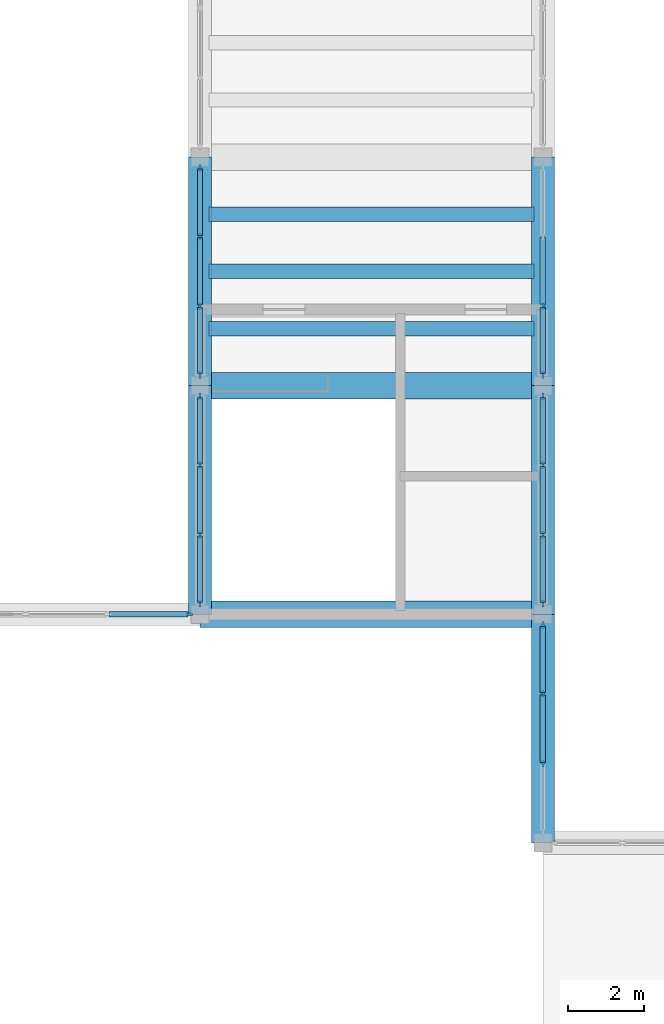
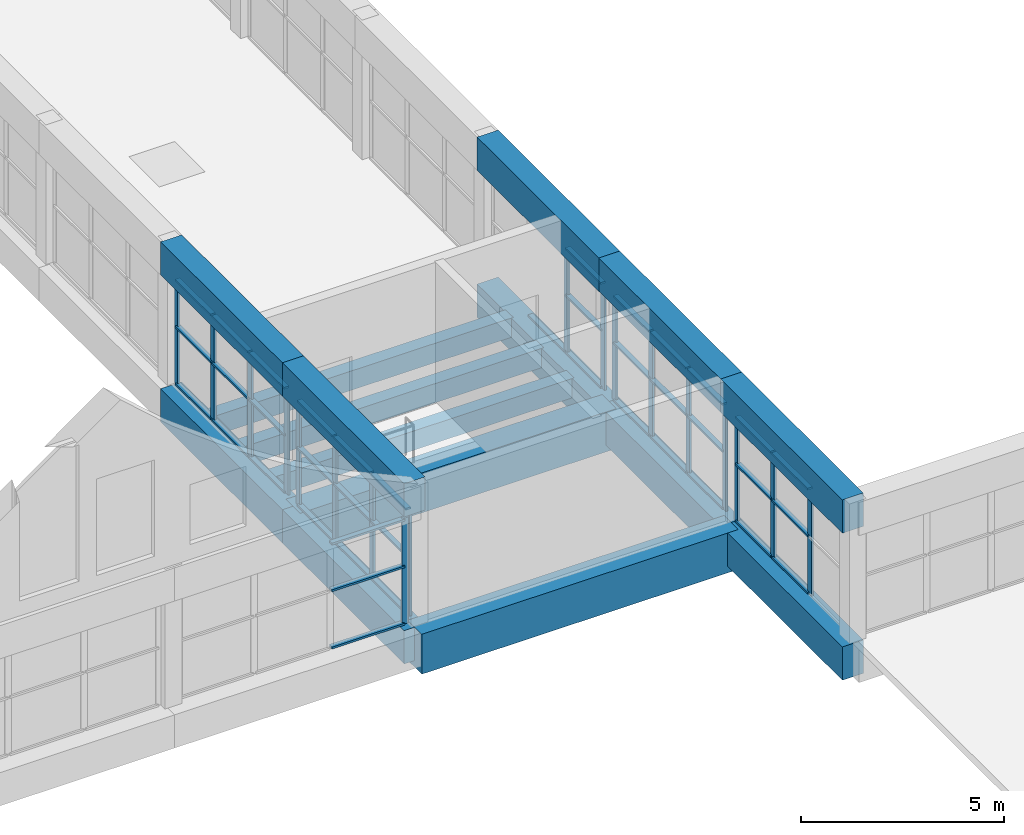
# One storey, part 9 of 70: 58 members, 15 beams, 6 elements without a shape of their own.
"""IFC4 building model written with IfcOpenShell, lengths in metres."""

from ifc_helpers import new_model, si_unit, direction, frame, origin, origin_2d, place, context, subcontext, project, spatial, rectangle, extrude, material, layer, layer_set, material_profile, profile_set, type_object, element, aggregate, save


model = new_model("IFC4")

# Units and contexts
model_context = context("Model", 3, precision=1e-05, world=origin(), true_north=direction((0.0, 1.0)))
body_context = subcontext(model_context, "Body", "Model", "MODEL_VIEW")
ifc_project = project(units=[si_unit("LENGTHUNIT", "METRE"), si_unit("AREAUNIT", "SQUARE_METRE"), si_unit("VOLUMEUNIT", "CUBIC_METRE"), si_unit("PLANEANGLEUNIT", "RADIAN"), si_unit("MASSUNIT", "GRAM", prefix="KILO")], contexts=[model_context])

# Site, building, storey
site_placement = place(None, origin())
site = spatial("IfcSite", under=ifc_project, at=site_placement, CompositionType="ELEMENT")
building_placement = place(site_placement, origin())
building = spatial("IfcBuilding", under=site, at=building_placement, Name="Solvane Community Centre", CompositionType="ELEMENT")
storey_placement = place(building_placement, frame((0.0, 0.0, 9.60009765625)))
storey = spatial("IfcBuildingStorey", under=building, at=storey_placement, Name="L02", CompositionType="ELEMENT", Elevation=9.60009765625)

# Curtain wall, members
ifc_material_1 = material(Name="Anodised bronze aluminium AW-6063 T6", Category="aluminium")
ifc_layer_1 = layer(ifc_material_1, 0.179931640625)
ifc_layer_set_1 = layer_set([ifc_layer_1], Name="Anodised bronze aluminium AW-6063 T6")
curtain_wall_type_1 = type_object("IfcCurtainWallType", Name="Hall Translucent Upper Curtain Wall [55x32dm]", PredefinedType="NOTDEFINED", material=ifc_layer_set_1)
curtain_wall_1_placement = place(storey_placement, origin())
curtain_wall_1 = element("IfcCurtainWall", 1, at=curtain_wall_1_placement, inside=storey, type_object=curtain_wall_type_1, Name="Curtain Wall CW-L02-360_537-126", PredefinedType="NOTDEFINED")
ifc_material_profile_1 = material_profile(ifc_material_1, rectangle(XDim=0.06005859375, YDim=0.179931640625, at=origin_2d()), Name="CW-M 60x180")
ifc_profile_set_1 = profile_set([ifc_material_profile_1], Name="Anodised bronze aluminium AW-6063 T6")
member_type_1 = type_object("IfcMemberType", Name="Hall Mullion 60x180", PredefinedType="MULLION", material=ifc_profile_set_1)
member_1_placement = place(storey_placement, frame((36.0, 50.0849609375, 0.0), z_axis=(0.0, 0.0, 1.0), x_axis=(1.0, 0.0, 0.0)))
member_1 = element("IfcMember", 2, at=member_1_placement, type_object=member_type_1, Name="CW01-55x32 mullion 3", PredefinedType="MULLION", context=body_context, shape_type="SweptSolid", body=[
    extrude(rectangle(XDim=0.06005859375, YDim=0.179931640625, at=origin_2d()), origin(), (0.0, 0.0, 1.0), 3.184814453125),
])
member_2_placement = place(storey_placement, frame((36.0, 48.284912109375, 0.0), z_axis=(0.0, 0.0, 1.0), x_axis=(1.0, 0.0, 0.0)))
member_2 = element("IfcMember", 3, at=member_2_placement, type_object=member_type_1, Name="CW01-55x32 mullion 4", PredefinedType="MULLION", context=body_context, shape_type="SweptSolid", body=[
    extrude(rectangle(XDim=0.06005859375, YDim=0.179931640625, at=origin_2d()), origin(), (0.0, 0.0, 1.0), 3.184814453125),
])

curtain_wall_2_placement = place(storey_placement, origin())
curtain_wall_2 = element("IfcCurtainWall", 4, at=curtain_wall_2_placement, inside=storey, type_object=curtain_wall_type_1, Name="Curtain Wall CW-L02-360_477-127", PredefinedType="NOTDEFINED")
member_3_placement = place(storey_placement, frame((36.0, 47.715087890625, 0.0), z_axis=(0.0, 0.0, 1.0), x_axis=(1.0, 0.0, 0.0)))
member_3 = element("IfcMember", 5, at=member_3_placement, type_object=member_type_1, Name="CW01-55x32 mullion 1", PredefinedType="MULLION", context=body_context, shape_type="SweptSolid", body=[
    extrude(rectangle(XDim=0.06005859375, YDim=0.179931640625, at=origin_2d()), origin(), (0.0, 0.0, 1.0), 3.184814453125),
])
member_4_placement = place(storey_placement, frame((36.0, 45.9150390625, 0.0), z_axis=(0.0, 0.0, 1.0), x_axis=(1.0, 0.0, 0.0)))
member_4 = element("IfcMember", 6, at=member_4_placement, type_object=member_type_1, Name="CW01-55x32 mullion 2", PredefinedType="MULLION", context=body_context, shape_type="SweptSolid", body=[
    extrude(rectangle(XDim=0.06005859375, YDim=0.179931640625, at=origin_2d()), origin(), (0.0, 0.0, 1.0), 3.184814453125),
])
member_5_placement = place(storey_placement, frame((36.0, 44.0849609375, 0.0), z_axis=(0.0, 0.0, 1.0), x_axis=(1.0, 0.0, 0.0)))
member_5 = element("IfcMember", 7, at=member_5_placement, type_object=member_type_1, Name="CW01-55x32 mullion 3", PredefinedType="MULLION", context=body_context, shape_type="SweptSolid", body=[
    extrude(rectangle(XDim=0.06005859375, YDim=0.179931640625, at=origin_2d()), origin(), (0.0, 0.0, 1.0), 3.184814453125),
])
member_6_placement = place(storey_placement, frame((36.0, 42.284912109375, 0.0), z_axis=(0.0, 0.0, 1.0), x_axis=(1.0, 0.0, 0.0)))
member_6 = element("IfcMember", 8, at=member_6_placement, type_object=member_type_1, Name="CW01-55x32 mullion 4", PredefinedType="MULLION", context=body_context, shape_type="SweptSolid", body=[
    extrude(rectangle(XDim=0.06005859375, YDim=0.179931640625, at=origin_2d()), origin(), (0.0, 0.0, 1.0), 3.184814453125),
])

curtain_wall_3_placement = place(storey_placement, origin())
curtain_wall_3 = element("IfcCurtainWall", 9, at=curtain_wall_3_placement, inside=storey, type_object=curtain_wall_type_1, Name="Curtain Wall CW-L02-360_417-128", PredefinedType="NOTDEFINED")
member_7_placement = place(storey_placement, frame((36.0, 41.715087890625, 0.0), z_axis=(0.0, 0.0, 1.0), x_axis=(1.0, 0.0, 0.0)))
member_7 = element("IfcMember", 10, at=member_7_placement, type_object=member_type_1, Name="CW01-55x32 mullion 1", PredefinedType="MULLION", context=body_context, shape_type="SweptSolid", body=[
    extrude(rectangle(XDim=0.06005859375, YDim=0.179931640625, at=origin_2d()), origin(), (0.0, 0.0, 1.0), 3.184814453125),
])
member_8_placement = place(storey_placement, frame((36.0, 39.9150390625, 0.0), z_axis=(0.0, 0.0, 1.0), x_axis=(1.0, 0.0, 0.0)))
member_8 = element("IfcMember", 11, at=member_8_placement, type_object=member_type_1, Name="CW01-55x32 mullion 2", PredefinedType="MULLION", context=body_context, shape_type="SweptSolid", body=[
    extrude(rectangle(XDim=0.06005859375, YDim=0.179931640625, at=origin_2d()), origin(), (0.0, 0.0, 1.0), 3.184814453125),
])
member_9_placement = place(storey_placement, frame((36.0, 38.0849609375, 0.0), z_axis=(0.0, 0.0, 1.0), x_axis=(1.0, 0.0, 0.0)))
member_9 = element("IfcMember", 12, at=member_9_placement, type_object=member_type_1, Name="CW01-55x32 mullion 3", PredefinedType="MULLION", context=body_context, shape_type="SweptSolid", body=[
    extrude(rectangle(XDim=0.06005859375, YDim=0.179931640625, at=origin_2d()), origin(), (0.0, 0.0, 1.0), 3.184814453125),
])

curtain_wall_4_placement = place(storey_placement, origin())
curtain_wall_4 = element("IfcCurtainWall", 13, at=curtain_wall_4_placement, inside=storey, type_object=curtain_wall_type_1, Name="Curtain Wall CW-L02-270_423-172", PredefinedType="NOTDEFINED")
member_10_placement = place(storey_placement, frame((27.0, 42.284912109375, 0.0), z_axis=(0.0, 0.0, 1.0), x_axis=(-1.0, 0.0, 0.0)))
member_10 = element("IfcMember", 14, at=member_10_placement, type_object=member_type_1, Name="CW01-55x32 mullion 1", PredefinedType="MULLION", context=body_context, shape_type="SweptSolid", body=[
    extrude(rectangle(XDim=0.06005859375, YDim=0.179931640625, at=origin_2d()), origin(), (0.0, 0.0, 1.0), 3.184814453125),
])
member_11_placement = place(storey_placement, frame((27.0, 44.0849609375, 0.0), z_axis=(0.0, 0.0, 1.0), x_axis=(-1.0, 0.0, 0.0)))
member_11 = element("IfcMember", 15, at=member_11_placement, type_object=member_type_1, Name="CW01-55x32 mullion 2", PredefinedType="MULLION", context=body_context, shape_type="SweptSolid", body=[
    extrude(rectangle(XDim=0.06005859375, YDim=0.179931640625, at=origin_2d()), origin(), (0.0, 0.0, 1.0), 3.184814453125),
])
member_12_placement = place(storey_placement, frame((27.0, 45.9150390625, 0.0), z_axis=(0.0, 0.0, 1.0), x_axis=(-1.0, 0.0, 0.0)))
member_12 = element("IfcMember", 16, at=member_12_placement, type_object=member_type_1, Name="CW01-55x32 mullion 3", PredefinedType="MULLION", context=body_context, shape_type="SweptSolid", body=[
    extrude(rectangle(XDim=0.06005859375, YDim=0.179931640625, at=origin_2d()), origin(), (0.0, 0.0, 1.0), 3.184814453125),
])
member_13_placement = place(storey_placement, frame((27.0, 47.715087890625, 0.0), z_axis=(0.0, 0.0, 1.0), x_axis=(-1.0, 0.0, 0.0)))
member_13 = element("IfcMember", 17, at=member_13_placement, type_object=member_type_1, Name="CW01-55x32 mullion 4", PredefinedType="MULLION", context=body_context, shape_type="SweptSolid", body=[
    extrude(rectangle(XDim=0.06005859375, YDim=0.179931640625, at=origin_2d()), origin(), (0.0, 0.0, 1.0), 3.184814453125),
])

curtain_wall_5_placement = place(storey_placement, origin())
curtain_wall_5 = element("IfcCurtainWall", 18, at=curtain_wall_5_placement, inside=storey, type_object=curtain_wall_type_1, Name="Curtain Wall CW-L02-270_483-173", PredefinedType="NOTDEFINED")
member_14_placement = place(storey_placement, frame((27.0, 48.284912109375, 0.0), z_axis=(0.0, 0.0, 1.0), x_axis=(-1.0, 0.0, 0.0)))
member_14 = element("IfcMember", 19, at=member_14_placement, type_object=member_type_1, Name="CW01-55x32 mullion 1", PredefinedType="MULLION", context=body_context, shape_type="SweptSolid", body=[
    extrude(rectangle(XDim=0.06005859375, YDim=0.179931640625, at=origin_2d()), origin(), (0.0, 0.0, 1.0), 3.184814453125),
])
member_15_placement = place(storey_placement, frame((27.0, 50.0849609375, 0.0), z_axis=(0.0, 0.0, 1.0), x_axis=(-1.0, 0.0, 0.0)))
member_15 = element("IfcMember", 20, at=member_15_placement, type_object=member_type_1, Name="CW01-55x32 mullion 2", PredefinedType="MULLION", context=body_context, shape_type="SweptSolid", body=[
    extrude(rectangle(XDim=0.06005859375, YDim=0.179931640625, at=origin_2d()), origin(), (0.0, 0.0, 1.0), 3.184814453125),
])
member_16_placement = place(storey_placement, frame((27.0, 51.9150390625, 0.0), z_axis=(0.0, 0.0, 1.0), x_axis=(-1.0, 0.0, 0.0)))
member_16 = element("IfcMember", 21, at=member_16_placement, type_object=member_type_1, Name="CW01-55x32 mullion 3", PredefinedType="MULLION", context=body_context, shape_type="SweptSolid", body=[
    extrude(rectangle(XDim=0.06005859375, YDim=0.179931640625, at=origin_2d()), origin(), (0.0, 0.0, 1.0), 3.184814453125),
])
member_17_placement = place(storey_placement, frame((27.0, 53.715087890625, 0.0), z_axis=(0.0, 0.0, 1.0), x_axis=(-1.0, 0.0, 0.0)))
member_17 = element("IfcMember", 22, at=member_17_placement, type_object=member_type_1, Name="CW01-55x32 mullion 4", PredefinedType="MULLION", context=body_context, shape_type="SweptSolid", body=[
    extrude(rectangle(XDim=0.06005859375, YDim=0.179931640625, at=origin_2d()), origin(), (0.0, 0.0, 1.0), 3.184814453125),
])

# Curtain wall, member
ifc_layer_2 = layer(ifc_material_1, 0.179931640625)
ifc_layer_set_2 = layer_set([ifc_layer_2], Name="Anodised bronze aluminium AW-6063 T6")
curtain_wall_type_2 = type_object("IfcCurtainWallType", Name="Hall Translucent Upper Curtain Wall [65x32dm]", PredefinedType="NOTDEFINED", material=ifc_layer_set_2)
curtain_wall_6_placement = place(storey_placement, origin())
curtain_wall_6 = element("IfcCurtainWall", 23, at=curtain_wall_6_placement, inside=storey, type_object=curtain_wall_type_2, Name="Curtain Wall CW-L02-267_420-178", PredefinedType="NOTDEFINED")
member_18_placement = place(storey_placement, frame((26.715087890625, 42.0, 0.0), z_axis=(0.0, 0.0, 1.0), x_axis=(0.0, -1.0, 0.0)))
member_18 = element("IfcMember", 24, at=member_18_placement, type_object=member_type_1, Name="CW01-65x32 mullion 1", PredefinedType="MULLION", context=body_context, shape_type="SweptSolid", body=[
    extrude(rectangle(XDim=0.06005859375, YDim=0.179931640625, at=origin_2d()), origin(), (0.0, 0.0, 1.0), 3.184814453125),
])

# Member
ifc_material_profile_2 = material_profile(ifc_material_1, rectangle(XDim=0.139892578125, YDim=0.06005859375, at=origin_2d()), Name="CW-T 60x140")
ifc_profile_set_2 = profile_set([ifc_material_profile_2], Name="Anodised bronze aluminium AW-6063 T6")
member_type_2 = type_object("IfcMemberType", Name="Hall Transom 60x140", PredefinedType="USERDEFINED", material=ifc_profile_set_2)
member_19_placement = place(storey_placement, frame((36.0, 51.885009765625, 0.02978515625), z_axis=(0.0, -1.0, 0.0), x_axis=(1.0, 0.0, 0.0)))
member_19 = element("IfcMember", 25, at=member_19_placement, type_object=member_type_2, Name="CW01-55x32 transom 2.1", ObjectType="TRANSOM", PredefinedType="USERDEFINED", context=body_context, shape_type="SweptSolid", body=[
    extrude(rectangle(XDim=0.139892578125, YDim=0.06005859375, at=origin_2d()), origin(), (0.0, 0.0, 1.0), 1.77001953125),
])

member_20_placement = place(storey_placement, frame((36.0, 50.054931640625, 0.02978515625), z_axis=(0.0, -1.0, 0.0), x_axis=(1.0, 0.0, 0.0)))
member_20 = element("IfcMember", 26, at=member_20_placement, type_object=member_type_2, Name="CW01-55x32 transom 3.1", ObjectType="TRANSOM", PredefinedType="USERDEFINED", context=body_context, shape_type="SweptSolid", body=[
    extrude(rectangle(XDim=0.139892578125, YDim=0.06005859375, at=origin_2d()), origin(), (0.0, 0.0, 1.0), 1.739990234375),
])

member_21_placement = place(storey_placement, frame((36.0, 50.054931640625, 1.751953125), z_axis=(0.0, -1.0, 0.0), x_axis=(1.0, 0.0, 0.0)))
member_21 = element("IfcMember", 27, at=member_21_placement, type_object=member_type_2, Name="CW01-55x32 transom 3.2", ObjectType="TRANSOM", PredefinedType="USERDEFINED", context=body_context, shape_type="SweptSolid", body=[
    extrude(rectangle(XDim=0.139892578125, YDim=0.06005859375, at=origin_2d()), origin(), (0.0, 0.0, 1.0), 1.739990234375),
])

member_22_placement = place(storey_placement, frame((36.0, 50.054931640625, 3.15478515625), z_axis=(0.0, -1.0, 0.0), x_axis=(1.0, 0.0, 0.0)))
member_22 = element("IfcMember", 28, at=member_22_placement, type_object=member_type_2, Name="CW01-55x32 transom 3.3", ObjectType="TRANSOM", PredefinedType="USERDEFINED", context=body_context, shape_type="SweptSolid", body=[
    extrude(rectangle(XDim=0.139892578125, YDim=0.06005859375, at=origin_2d()), origin(), (0.0, 0.0, 1.0), 1.739990234375),
])

aggregate(curtain_wall_1, [member_1, member_2, member_19, member_20, member_21, member_22])

member_23_placement = place(storey_placement, frame((36.0, 47.68505859375, 0.02978515625), z_axis=(0.0, -1.0, 0.0), x_axis=(1.0, 0.0, 0.0)))
member_23 = element("IfcMember", 29, at=member_23_placement, type_object=member_type_2, Name="CW01-55x32 transom 1.1", ObjectType="TRANSOM", PredefinedType="USERDEFINED", context=body_context, shape_type="SweptSolid", body=[
    extrude(rectangle(XDim=0.139892578125, YDim=0.06005859375, at=origin_2d()), origin(), (0.0, 0.0, 1.0), 1.739990234375),
])

member_24_placement = place(storey_placement, frame((36.0, 47.68505859375, 1.751953125), z_axis=(0.0, -1.0, 0.0), x_axis=(1.0, 0.0, 0.0)))
member_24 = element("IfcMember", 30, at=member_24_placement, type_object=member_type_2, Name="CW01-55x32 transom 1.2", ObjectType="TRANSOM", PredefinedType="USERDEFINED", context=body_context, shape_type="SweptSolid", body=[
    extrude(rectangle(XDim=0.139892578125, YDim=0.06005859375, at=origin_2d()), origin(), (0.0, 0.0, 1.0), 1.739990234375),
])

member_25_placement = place(storey_placement, frame((36.0, 47.68505859375, 3.15478515625), z_axis=(0.0, -1.0, 0.0), x_axis=(1.0, 0.0, 0.0)))
member_25 = element("IfcMember", 31, at=member_25_placement, type_object=member_type_2, Name="CW01-55x32 transom 1.3", ObjectType="TRANSOM", PredefinedType="USERDEFINED", context=body_context, shape_type="SweptSolid", body=[
    extrude(rectangle(XDim=0.139892578125, YDim=0.06005859375, at=origin_2d()), origin(), (0.0, 0.0, 1.0), 1.739990234375),
])

member_26_placement = place(storey_placement, frame((36.0, 45.885009765625, 0.02978515625), z_axis=(0.0, -1.0, 0.0), x_axis=(1.0, 0.0, 0.0)))
member_26 = element("IfcMember", 32, at=member_26_placement, type_object=member_type_2, Name="CW01-55x32 transom 2.1", ObjectType="TRANSOM", PredefinedType="USERDEFINED", context=body_context, shape_type="SweptSolid", body=[
    extrude(rectangle(XDim=0.139892578125, YDim=0.06005859375, at=origin_2d()), origin(), (0.0, 0.0, 1.0), 1.77001953125),
])

member_27_placement = place(storey_placement, frame((36.0, 45.885009765625, 1.751953125), z_axis=(0.0, -1.0, 0.0), x_axis=(1.0, 0.0, 0.0)))
member_27 = element("IfcMember", 33, at=member_27_placement, type_object=member_type_2, Name="CW01-55x32 transom 2.2", ObjectType="TRANSOM", PredefinedType="USERDEFINED", context=body_context, shape_type="SweptSolid", body=[
    extrude(rectangle(XDim=0.139892578125, YDim=0.06005859375, at=origin_2d()), origin(), (0.0, 0.0, 1.0), 1.77001953125),
])

member_28_placement = place(storey_placement, frame((36.0, 45.885009765625, 3.15478515625), z_axis=(0.0, -1.0, 0.0), x_axis=(1.0, 0.0, 0.0)))
member_28 = element("IfcMember", 34, at=member_28_placement, type_object=member_type_2, Name="CW01-55x32 transom 2.3", ObjectType="TRANSOM", PredefinedType="USERDEFINED", context=body_context, shape_type="SweptSolid", body=[
    extrude(rectangle(XDim=0.139892578125, YDim=0.06005859375, at=origin_2d()), origin(), (0.0, 0.0, 1.0), 1.77001953125),
])

member_29_placement = place(storey_placement, frame((36.0, 44.054931640625, 0.02978515625), z_axis=(0.0, -1.0, 0.0), x_axis=(1.0, 0.0, 0.0)))
member_29 = element("IfcMember", 35, at=member_29_placement, type_object=member_type_2, Name="CW01-55x32 transom 3.1", ObjectType="TRANSOM", PredefinedType="USERDEFINED", context=body_context, shape_type="SweptSolid", body=[
    extrude(rectangle(XDim=0.139892578125, YDim=0.06005859375, at=origin_2d()), origin(), (0.0, 0.0, 1.0), 1.739990234375),
])

member_30_placement = place(storey_placement, frame((36.0, 44.054931640625, 1.751953125), z_axis=(0.0, -1.0, 0.0), x_axis=(1.0, 0.0, 0.0)))
member_30 = element("IfcMember", 36, at=member_30_placement, type_object=member_type_2, Name="CW01-55x32 transom 3.2", ObjectType="TRANSOM", PredefinedType="USERDEFINED", context=body_context, shape_type="SweptSolid", body=[
    extrude(rectangle(XDim=0.139892578125, YDim=0.06005859375, at=origin_2d()), origin(), (0.0, 0.0, 1.0), 1.739990234375),
])

member_31_placement = place(storey_placement, frame((36.0, 44.054931640625, 3.15478515625), z_axis=(0.0, -1.0, 0.0), x_axis=(1.0, 0.0, 0.0)))
member_31 = element("IfcMember", 37, at=member_31_placement, type_object=member_type_2, Name="CW01-55x32 transom 3.3", ObjectType="TRANSOM", PredefinedType="USERDEFINED", context=body_context, shape_type="SweptSolid", body=[
    extrude(rectangle(XDim=0.139892578125, YDim=0.06005859375, at=origin_2d()), origin(), (0.0, 0.0, 1.0), 1.739990234375),
])

aggregate(curtain_wall_2, [member_3, member_4, member_5, member_6, member_23, member_24, member_25, member_26, member_27, member_28, member_29, member_30, member_31])

member_32_placement = place(storey_placement, frame((36.0, 41.68505859375, 0.02978515625), z_axis=(0.0, -1.0, 0.0), x_axis=(1.0, 0.0, 0.0)))
member_32 = element("IfcMember", 38, at=member_32_placement, type_object=member_type_2, Name="CW01-55x32 transom 1.1", ObjectType="TRANSOM", PredefinedType="USERDEFINED", context=body_context, shape_type="SweptSolid", body=[
    extrude(rectangle(XDim=0.139892578125, YDim=0.06005859375, at=origin_2d()), origin(), (0.0, 0.0, 1.0), 1.739990234375),
])

member_33_placement = place(storey_placement, frame((36.0, 41.68505859375, 1.751953125), z_axis=(0.0, -1.0, 0.0), x_axis=(1.0, 0.0, 0.0)))
member_33 = element("IfcMember", 39, at=member_33_placement, type_object=member_type_2, Name="CW01-55x32 transom 1.2", ObjectType="TRANSOM", PredefinedType="USERDEFINED", context=body_context, shape_type="SweptSolid", body=[
    extrude(rectangle(XDim=0.139892578125, YDim=0.06005859375, at=origin_2d()), origin(), (0.0, 0.0, 1.0), 1.739990234375),
])

member_34_placement = place(storey_placement, frame((36.0, 41.68505859375, 3.15478515625), z_axis=(0.0, -1.0, 0.0), x_axis=(1.0, 0.0, 0.0)))
member_34 = element("IfcMember", 40, at=member_34_placement, type_object=member_type_2, Name="CW01-55x32 transom 1.3", ObjectType="TRANSOM", PredefinedType="USERDEFINED", context=body_context, shape_type="SweptSolid", body=[
    extrude(rectangle(XDim=0.139892578125, YDim=0.06005859375, at=origin_2d()), origin(), (0.0, 0.0, 1.0), 1.739990234375),
])

member_35_placement = place(storey_placement, frame((36.0, 39.885009765625, 0.02978515625), z_axis=(0.0, -1.0, 0.0), x_axis=(1.0, 0.0, 0.0)))
member_35 = element("IfcMember", 41, at=member_35_placement, type_object=member_type_2, Name="CW01-55x32 transom 2.1", ObjectType="TRANSOM", PredefinedType="USERDEFINED", context=body_context, shape_type="SweptSolid", body=[
    extrude(rectangle(XDim=0.139892578125, YDim=0.06005859375, at=origin_2d()), origin(), (0.0, 0.0, 1.0), 1.77001953125),
])

member_36_placement = place(storey_placement, frame((36.0, 39.885009765625, 1.751953125), z_axis=(0.0, -1.0, 0.0), x_axis=(1.0, 0.0, 0.0)))
member_36 = element("IfcMember", 42, at=member_36_placement, type_object=member_type_2, Name="CW01-55x32 transom 2.2", ObjectType="TRANSOM", PredefinedType="USERDEFINED", context=body_context, shape_type="SweptSolid", body=[
    extrude(rectangle(XDim=0.139892578125, YDim=0.06005859375, at=origin_2d()), origin(), (0.0, 0.0, 1.0), 1.77001953125),
])

member_37_placement = place(storey_placement, frame((36.0, 39.885009765625, 3.15478515625), z_axis=(0.0, -1.0, 0.0), x_axis=(1.0, 0.0, 0.0)))
member_37 = element("IfcMember", 43, at=member_37_placement, type_object=member_type_2, Name="CW01-55x32 transom 2.3", ObjectType="TRANSOM", PredefinedType="USERDEFINED", context=body_context, shape_type="SweptSolid", body=[
    extrude(rectangle(XDim=0.139892578125, YDim=0.06005859375, at=origin_2d()), origin(), (0.0, 0.0, 1.0), 1.77001953125),
])

aggregate(curtain_wall_3, [member_7, member_8, member_9, member_32, member_33, member_34, member_35, member_36, member_37])

member_38_placement = place(storey_placement, frame((27.0, 42.31494140625, 0.02978515625), z_axis=(0.0, 1.0, 0.0), x_axis=(-1.0, 0.0, 0.0)))
member_38 = element("IfcMember", 44, at=member_38_placement, type_object=member_type_2, Name="CW01-55x32 transom 1.1", ObjectType="TRANSOM", PredefinedType="USERDEFINED", context=body_context, shape_type="SweptSolid", body=[
    extrude(rectangle(XDim=0.139892578125, YDim=0.06005859375, at=origin_2d()), origin(), (0.0, 0.0, 1.0), 1.739990234375),
])

member_39_placement = place(storey_placement, frame((27.0, 42.31494140625, 1.751953125), z_axis=(0.0, 1.0, 0.0), x_axis=(-1.0, 0.0, 0.0)))
member_39 = element("IfcMember", 45, at=member_39_placement, type_object=member_type_2, Name="CW01-55x32 transom 1.2", ObjectType="TRANSOM", PredefinedType="USERDEFINED", context=body_context, shape_type="SweptSolid", body=[
    extrude(rectangle(XDim=0.139892578125, YDim=0.06005859375, at=origin_2d()), origin(), (0.0, 0.0, 1.0), 1.739990234375),
])

member_40_placement = place(storey_placement, frame((27.0, 42.31494140625, 3.15478515625), z_axis=(0.0, 1.0, 0.0), x_axis=(-1.0, 0.0, 0.0)))
member_40 = element("IfcMember", 46, at=member_40_placement, type_object=member_type_2, Name="CW01-55x32 transom 1.3", ObjectType="TRANSOM", PredefinedType="USERDEFINED", context=body_context, shape_type="SweptSolid", body=[
    extrude(rectangle(XDim=0.139892578125, YDim=0.06005859375, at=origin_2d()), origin(), (0.0, 0.0, 1.0), 1.739990234375),
])

member_41_placement = place(storey_placement, frame((27.0, 44.114990234375, 0.02978515625), z_axis=(0.0, 1.0, 0.0), x_axis=(-1.0, 0.0, 0.0)))
member_41 = element("IfcMember", 47, at=member_41_placement, type_object=member_type_2, Name="CW01-55x32 transom 2.1", ObjectType="TRANSOM", PredefinedType="USERDEFINED", context=body_context, shape_type="SweptSolid", body=[
    extrude(rectangle(XDim=0.139892578125, YDim=0.06005859375, at=origin_2d()), origin(), (0.0, 0.0, 1.0), 1.77001953125),
])

member_42_placement = place(storey_placement, frame((27.0, 44.114990234375, 1.751953125), z_axis=(0.0, 1.0, 0.0), x_axis=(-1.0, 0.0, 0.0)))
member_42 = element("IfcMember", 48, at=member_42_placement, type_object=member_type_2, Name="CW01-55x32 transom 2.2", ObjectType="TRANSOM", PredefinedType="USERDEFINED", context=body_context, shape_type="SweptSolid", body=[
    extrude(rectangle(XDim=0.139892578125, YDim=0.06005859375, at=origin_2d()), origin(), (0.0, 0.0, 1.0), 1.77001953125),
])

member_43_placement = place(storey_placement, frame((27.0, 44.114990234375, 3.15478515625), z_axis=(0.0, 1.0, 0.0), x_axis=(-1.0, 0.0, 0.0)))
member_43 = element("IfcMember", 49, at=member_43_placement, type_object=member_type_2, Name="CW01-55x32 transom 2.3", ObjectType="TRANSOM", PredefinedType="USERDEFINED", context=body_context, shape_type="SweptSolid", body=[
    extrude(rectangle(XDim=0.139892578125, YDim=0.06005859375, at=origin_2d()), origin(), (0.0, 0.0, 1.0), 1.77001953125),
])

member_44_placement = place(storey_placement, frame((27.0, 45.945068359375, 0.02978515625), z_axis=(0.0, 1.0, 0.0), x_axis=(-1.0, 0.0, 0.0)))
member_44 = element("IfcMember", 50, at=member_44_placement, type_object=member_type_2, Name="CW01-55x32 transom 3.1", ObjectType="TRANSOM", PredefinedType="USERDEFINED", context=body_context, shape_type="SweptSolid", body=[
    extrude(rectangle(XDim=0.139892578125, YDim=0.06005859375, at=origin_2d()), origin(), (0.0, 0.0, 1.0), 1.739990234375),
])

member_45_placement = place(storey_placement, frame((27.0, 45.945068359375, 1.751953125), z_axis=(0.0, 1.0, 0.0), x_axis=(-1.0, 0.0, 0.0)))
member_45 = element("IfcMember", 51, at=member_45_placement, type_object=member_type_2, Name="CW01-55x32 transom 3.2", ObjectType="TRANSOM", PredefinedType="USERDEFINED", context=body_context, shape_type="SweptSolid", body=[
    extrude(rectangle(XDim=0.139892578125, YDim=0.06005859375, at=origin_2d()), origin(), (0.0, 0.0, 1.0), 1.739990234375),
])

member_46_placement = place(storey_placement, frame((27.0, 45.945068359375, 3.15478515625), z_axis=(0.0, 1.0, 0.0), x_axis=(-1.0, 0.0, 0.0)))
member_46 = element("IfcMember", 52, at=member_46_placement, type_object=member_type_2, Name="CW01-55x32 transom 3.3", ObjectType="TRANSOM", PredefinedType="USERDEFINED", context=body_context, shape_type="SweptSolid", body=[
    extrude(rectangle(XDim=0.139892578125, YDim=0.06005859375, at=origin_2d()), origin(), (0.0, 0.0, 1.0), 1.739990234375),
])

aggregate(curtain_wall_4, [member_10, member_11, member_12, member_13, member_38, member_39, member_40, member_41, member_42, member_43, member_44, member_45, member_46])

member_47_placement = place(storey_placement, frame((27.0, 48.31494140625, 0.02978515625), z_axis=(0.0, 1.0, 0.0), x_axis=(-1.0, 0.0, 0.0)))
member_47 = element("IfcMember", 53, at=member_47_placement, type_object=member_type_2, Name="CW01-55x32 transom 1.1", ObjectType="TRANSOM", PredefinedType="USERDEFINED", context=body_context, shape_type="SweptSolid", body=[
    extrude(rectangle(XDim=0.139892578125, YDim=0.06005859375, at=origin_2d()), origin(), (0.0, 0.0, 1.0), 1.739990234375),
])

member_48_placement = place(storey_placement, frame((27.0, 48.31494140625, 1.751953125), z_axis=(0.0, 1.0, 0.0), x_axis=(-1.0, 0.0, 0.0)))
member_48 = element("IfcMember", 54, at=member_48_placement, type_object=member_type_2, Name="CW01-55x32 transom 1.2", ObjectType="TRANSOM", PredefinedType="USERDEFINED", context=body_context, shape_type="SweptSolid", body=[
    extrude(rectangle(XDim=0.139892578125, YDim=0.06005859375, at=origin_2d()), origin(), (0.0, 0.0, 1.0), 1.739990234375),
])

member_49_placement = place(storey_placement, frame((27.0, 48.31494140625, 3.15478515625), z_axis=(0.0, 1.0, 0.0), x_axis=(-1.0, 0.0, 0.0)))
member_49 = element("IfcMember", 55, at=member_49_placement, type_object=member_type_2, Name="CW01-55x32 transom 1.3", ObjectType="TRANSOM", PredefinedType="USERDEFINED", context=body_context, shape_type="SweptSolid", body=[
    extrude(rectangle(XDim=0.139892578125, YDim=0.06005859375, at=origin_2d()), origin(), (0.0, 0.0, 1.0), 1.739990234375),
])

member_50_placement = place(storey_placement, frame((27.0, 50.114990234375, 0.02978515625), z_axis=(0.0, 1.0, 0.0), x_axis=(-1.0, 0.0, 0.0)))
member_50 = element("IfcMember", 56, at=member_50_placement, type_object=member_type_2, Name="CW01-55x32 transom 2.1", ObjectType="TRANSOM", PredefinedType="USERDEFINED", context=body_context, shape_type="SweptSolid", body=[
    extrude(rectangle(XDim=0.139892578125, YDim=0.06005859375, at=origin_2d()), origin(), (0.0, 0.0, 1.0), 1.77001953125),
])

member_51_placement = place(storey_placement, frame((27.0, 50.114990234375, 1.751953125), z_axis=(0.0, 1.0, 0.0), x_axis=(-1.0, 0.0, 0.0)))
member_51 = element("IfcMember", 57, at=member_51_placement, type_object=member_type_2, Name="CW01-55x32 transom 2.2", ObjectType="TRANSOM", PredefinedType="USERDEFINED", context=body_context, shape_type="SweptSolid", body=[
    extrude(rectangle(XDim=0.139892578125, YDim=0.06005859375, at=origin_2d()), origin(), (0.0, 0.0, 1.0), 1.77001953125),
])

member_52_placement = place(storey_placement, frame((27.0, 50.114990234375, 3.15478515625), z_axis=(0.0, 1.0, 0.0), x_axis=(-1.0, 0.0, 0.0)))
member_52 = element("IfcMember", 58, at=member_52_placement, type_object=member_type_2, Name="CW01-55x32 transom 2.3", ObjectType="TRANSOM", PredefinedType="USERDEFINED", context=body_context, shape_type="SweptSolid", body=[
    extrude(rectangle(XDim=0.139892578125, YDim=0.06005859375, at=origin_2d()), origin(), (0.0, 0.0, 1.0), 1.77001953125),
])

member_53_placement = place(storey_placement, frame((27.0, 51.945068359375, 0.02978515625), z_axis=(0.0, 1.0, 0.0), x_axis=(-1.0, 0.0, 0.0)))
member_53 = element("IfcMember", 59, at=member_53_placement, type_object=member_type_2, Name="CW01-55x32 transom 3.1", ObjectType="TRANSOM", PredefinedType="USERDEFINED", context=body_context, shape_type="SweptSolid", body=[
    extrude(rectangle(XDim=0.139892578125, YDim=0.06005859375, at=origin_2d()), origin(), (0.0, 0.0, 1.0), 1.739990234375),
])

member_54_placement = place(storey_placement, frame((27.0, 51.945068359375, 1.751953125), z_axis=(0.0, 1.0, 0.0), x_axis=(-1.0, 0.0, 0.0)))
member_54 = element("IfcMember", 60, at=member_54_placement, type_object=member_type_2, Name="CW01-55x32 transom 3.2", ObjectType="TRANSOM", PredefinedType="USERDEFINED", context=body_context, shape_type="SweptSolid", body=[
    extrude(rectangle(XDim=0.139892578125, YDim=0.06005859375, at=origin_2d()), origin(), (0.0, 0.0, 1.0), 1.739990234375),
])

member_55_placement = place(storey_placement, frame((27.0, 51.945068359375, 3.15478515625), z_axis=(0.0, 1.0, 0.0), x_axis=(-1.0, 0.0, 0.0)))
member_55 = element("IfcMember", 61, at=member_55_placement, type_object=member_type_2, Name="CW01-55x32 transom 3.3", ObjectType="TRANSOM", PredefinedType="USERDEFINED", context=body_context, shape_type="SweptSolid", body=[
    extrude(rectangle(XDim=0.139892578125, YDim=0.06005859375, at=origin_2d()), origin(), (0.0, 0.0, 1.0), 1.739990234375),
])

aggregate(curtain_wall_5, [member_14, member_15, member_16, member_17, member_47, member_48, member_49, member_50, member_51, member_52, member_53, member_54, member_55])

member_56_placement = place(storey_placement, frame((26.68505859375, 42.0, 0.02978515625), z_axis=(-1.0, 0.0, 0.0), x_axis=(0.0, -1.0, 0.0)))
member_56 = element("IfcMember", 62, at=member_56_placement, type_object=member_type_2, Name="CW01-65x32 transom 1.1", ObjectType="TRANSOM", PredefinedType="USERDEFINED", context=body_context, shape_type="SweptSolid", body=[
    extrude(rectangle(XDim=0.139892578125, YDim=0.06005859375, at=origin_2d()), origin(), (0.0, 0.0, 1.0), 2.073486328125),
])

member_57_placement = place(storey_placement, frame((26.68505859375, 42.0, 1.751953125), z_axis=(-1.0, 0.0, 0.0), x_axis=(0.0, -1.0, 0.0)))
member_57 = element("IfcMember", 63, at=member_57_placement, type_object=member_type_2, Name="CW01-65x32 transom 1.2", ObjectType="TRANSOM", PredefinedType="USERDEFINED", context=body_context, shape_type="SweptSolid", body=[
    extrude(rectangle(XDim=0.139892578125, YDim=0.06005859375, at=origin_2d()), origin(), (0.0, 0.0, 1.0), 2.073486328125),
])

member_58_placement = place(storey_placement, frame((26.68505859375, 42.0, 3.15478515625), z_axis=(-1.0, 0.0, 0.0), x_axis=(0.0, -1.0, 0.0)))
member_58 = element("IfcMember", 64, at=member_58_placement, type_object=member_type_2, Name="CW01-65x32 transom 1.3", ObjectType="TRANSOM", PredefinedType="USERDEFINED", context=body_context, shape_type="SweptSolid", body=[
    extrude(rectangle(XDim=0.139892578125, YDim=0.06005859375, at=origin_2d()), origin(), (0.0, 0.0, 1.0), 2.073486328125),
])

aggregate(curtain_wall_6, [member_18, member_56, member_57, member_58])

# Beams
ifc_material_2 = material(Name="Concrete C35/45", Category="concrete")
ifc_material_profile_3 = material_profile(ifc_material_2, rectangle(XDim=0.3798828125, YDim=0.580078125, at=origin_2d()), Name="RC 380x580")
ifc_profile_set_3 = profile_set([ifc_material_profile_3], Name="Concrete C35/45")
beam_type_1 = type_object("IfcBeamType", Name="RC Short Joist 380x580", PredefinedType="JOIST", material=ifc_profile_set_3)
for number, where, z_axis, x_axis, name in (
    (65, (27.239990234375, 49.5, -0.510009765625), (1.0, 0.0, 0.0), (0.0, 1.0, 0.0), "Beam BM-L02-272_495-358_495"),
    (66, (27.239990234375, 51.0, -0.510009765625), (1.0, 0.0, 0.0), (0.0, 1.0, 0.0), "Beam BM-L02-272_510-358_510"),
    (67, (27.239990234375, 52.5, -0.510009765625), (1.0, 0.0, 0.0), (0.0, 1.0, 0.0), "Beam BM-L02-272_525-358_525"),
):
    element("IfcBeam", number, at=place(storey_placement, frame(where, z_axis=z_axis, x_axis=x_axis)), inside=storey, type_object=beam_type_1, Name=name, PredefinedType="JOIST", context=body_context, shape_type="SweptSolid", body=[
        extrude(rectangle(XDim=0.3798828125, YDim=0.580078125, at=origin_2d()), origin(), (0.0, 0.0, 1.0), 8.52001953125),
    ])
ifc_material_profile_4 = material_profile(ifc_material_2, rectangle(XDim=0.699951171875, YDim=1.199951171875, at=origin_2d()), Name="RC 700x1200")
ifc_profile_set_4 = profile_set([ifc_material_profile_4], Name="Concrete C35/45")
beam_type_2 = type_object("IfcBeamType", Name="RC Transfer Girder 700x1200", PredefinedType="USERDEFINED", material=ifc_profile_set_4)
for number, where, z_axis, x_axis, name in (
    (68, (27.0, 42.0, -0.820068359375), (1.0, 0.0, 0.0), (0.0, 1.0, 0.0), "Beam BM-L02-270_420-360_420"),
    (69, (27.0, 48.0, -0.820068359375), (1.0, 0.0, 0.0), (0.0, 1.0, 0.0), "Beam BM-L02-270_480-360_480"),
):
    element("IfcBeam", number, at=place(storey_placement, frame(where, z_axis=z_axis, x_axis=x_axis)), inside=storey, type_object=beam_type_2, Name=name, ObjectType="GIRDER", PredefinedType="USERDEFINED", context=body_context, shape_type="SweptSolid", body=[
        extrude(rectangle(XDim=0.699951171875, YDim=1.199951171875, at=origin_2d()), origin(), (0.0, 0.0, 1.0), 9.0),
    ])
ifc_material_profile_5 = material_profile(ifc_material_2, rectangle(XDim=0.60009765625, YDim=1.0, at=origin_2d()), Name="RC 600x1000")
ifc_profile_set_5 = profile_set([ifc_material_profile_5], Name="Concrete C35/45")
beam_type_3 = type_object("IfcBeamType", Name="RC Vault Thrust Ring Girder 600x1000", PredefinedType="USERDEFINED", material=ifc_profile_set_5)
for number, where, z_axis, x_axis, name in (
    (70, (27.0, 42.0, -0.72021484375), (0.0, 1.0, 0.0), (-1.0, 0.0, 0.0), "Beam BM-L02-270_420-270_480"),
    (71, (27.0, 48.0, -0.72021484375), (0.0, 1.0, 0.0), (-1.0, 0.0, 0.0), "Beam BM-L02-270_480-270_540"),
    (72, (36.0, 36.0, -0.72021484375), (0.0, 1.0, 0.0), (-1.0, 0.0, 0.0), "Beam BM-L02-360_360-360_420"),
    (73, (36.0, 42.0, -0.72021484375), (0.0, 1.0, 0.0), (-1.0, 0.0, 0.0), "Beam BM-L02-360_420-360_480"),
    (74, (36.0, 48.0, -0.72021484375), (0.0, 1.0, 0.0), (-1.0, 0.0, 0.0), "Beam BM-L02-360_480-360_540"),
    (75, (36.0, 36.0, 3.699951171875), (0.0, 1.0, 0.0), (-1.0, 0.0, 0.0), "Beam BM-L02-360_360-360_420-1443"),
    (76, (36.0, 42.0, 3.699951171875), (0.0, 1.0, 0.0), (-1.0, 0.0, 0.0), "Beam BM-L02-360_420-360_480-1445"),
    (77, (36.0, 48.0, 3.699951171875), (0.0, 1.0, 0.0), (-1.0, 0.0, 0.0), "Beam BM-L02-360_480-360_540-1447"),
    (78, (27.0, 42.0, 3.699951171875), (0.0, 1.0, 0.0), (-1.0, 0.0, 0.0), "Beam BM-L02-270_420-270_480-1493"),
    (79, (27.0, 48.0, 3.699951171875), (0.0, 1.0, 0.0), (-1.0, 0.0, 0.0), "Beam BM-L02-270_480-270_540-1494"),
):
    element("IfcBeam", number, at=place(storey_placement, frame(where, z_axis=z_axis, x_axis=x_axis)), inside=storey, type_object=beam_type_3, Name=name, ObjectType="GIRDER", PredefinedType="USERDEFINED", context=body_context, shape_type="SweptSolid", body=[
        extrude(rectangle(XDim=0.60009765625, YDim=1.0, at=origin_2d()), origin(), (0.0, 0.0, 1.0), 6.0),
    ])

save(model, "model.ifc")
